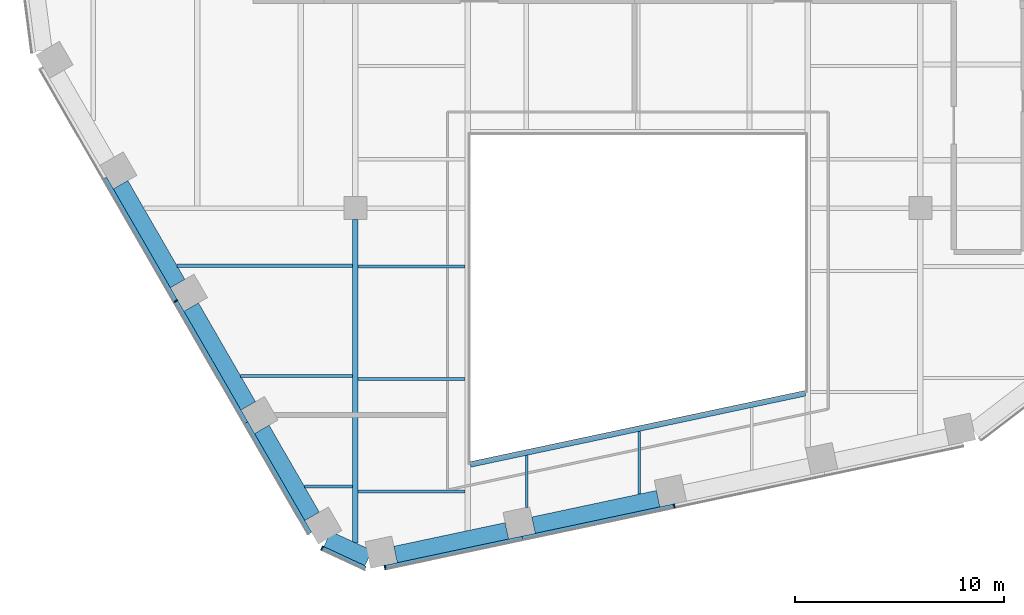
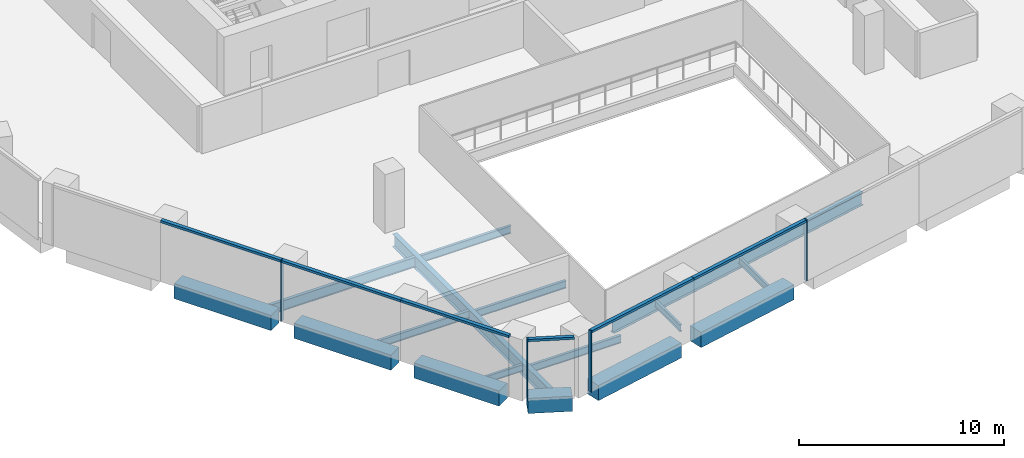
# One storey, part 2 of 16: 16 beams, 10 members, 3 elements without a shape of their own.
"""IFC4 building model written with IfcOpenShell, lengths in metres."""

from ifc_helpers import new_model, si_unit, direction, frame, origin, origin_2d, place, context, subcontext, project, spatial, rectangle, i_section, extrude, material, layer, layer_set, material_profile, profile_set, type_object, element, aggregate, save


model = new_model("IFC4")

# Units and contexts
model_context = context("Model", 3, precision=1e-05, world=origin(), true_north=direction((0.0, 1.0)))
body_context = subcontext(model_context, "Body", "Model", "MODEL_VIEW")
ifc_project = project(units=[si_unit("LENGTHUNIT", "METRE"), si_unit("AREAUNIT", "SQUARE_METRE"), si_unit("VOLUMEUNIT", "CUBIC_METRE"), si_unit("PLANEANGLEUNIT", "RADIAN"), si_unit("MASSUNIT", "GRAM", prefix="KILO")], contexts=[model_context])

# Site, building, storey
site_placement = place(None, origin())
site = spatial("IfcSite", under=ifc_project, at=site_placement, CompositionType="ELEMENT")
building_placement = place(site_placement, origin())
building = spatial("IfcBuilding", under=site, at=building_placement, Name="Isthmus Gate Tower", CompositionType="ELEMENT")
storey_placement = place(building_placement, frame((0.0, 0.0, 192.699951171875)))
storey = spatial("IfcBuildingStorey", under=building, at=storey_placement, Name="L48", CompositionType="ELEMENT", Elevation=192.699951171875)

# Curtain wall, member
ifc_material_1 = material(Name="Aluminium, pale champagne anodised", Category="aluminium")
ifc_layer = layer(ifc_material_1, 0.199951171875)
ifc_layer_set = layer_set([ifc_layer], Name="CW-1 UNITISED CURTAIN WALL 200 DEEP")
curtain_wall_type = type_object("IfcCurtainWallType", Name="CW-1 UNITISED CURTAIN WALL 200 DEEP", PredefinedType="NOTDEFINED", material=ifc_layer_set)
curtain_wall_1_placement = place(storey_placement, origin())
curtain_wall_1 = element("IfcCurtainWall", 1, at=curtain_wall_1_placement, inside=storey, type_object=curtain_wall_type, Name="CW-1 SW L48", PredefinedType="NOTDEFINED")
ifc_material_2 = material(Name="Aluminium, pale champagne anodised", Category="aluminium")
ifc_material_profile_1 = material_profile(ifc_material_2, rectangle(XDim=0.06005859375, YDim=0.199951171875, at=origin_2d()), Name="60x200")
ifc_profile_set_1 = profile_set([ifc_material_profile_1], Name="Aluminium, pale champagne anodised")
member_type_1 = type_object("IfcMemberType", Name="CW-1 MULLION 60 X 200", PredefinedType="MULLION", material=ifc_profile_set_1)
member_1_placement = place(storey_placement, frame((-22.08935546875, -17.93994140625, 0.0), z_axis=(0.0, 0.0, 1.0), x_axis=(0.5, -0.866025403784, 0.0)))
member_1 = element("IfcMember", 2, at=member_1_placement, type_object=member_type_1, Name="CW-1 mullion", PredefinedType="MULLION", context=body_context, shape_type="SweptSolid", body=[
    extrude(rectangle(XDim=0.06005859375, YDim=0.199951171875, at=origin_2d()), origin(), (0.0, 0.0, 1.0), 3.650146484375),
])

curtain_wall_2_placement = place(storey_placement, origin())
curtain_wall_2 = element("IfcCurtainWall", 3, at=curtain_wall_2_placement, inside=storey, type_object=curtain_wall_type, Name="CW-1 SW-S L48", PredefinedType="NOTDEFINED")
member_2_placement = place(storey_placement, frame((-15.091064453125, -29.74755859375, 0.0), z_axis=(0.0, 0.0, 1.0), x_axis=(0.907256261367, -0.420578264073, 0.0)))
member_2 = element("IfcMember", 4, at=member_2_placement, type_object=member_type_1, Name="CW-1 mullion", PredefinedType="MULLION", context=body_context, shape_type="SweptSolid", body=[
    extrude(rectangle(XDim=0.06005859375, YDim=0.199951171875, at=origin_2d()), origin(), (0.0, 0.0, 1.0), 3.650146484375),
])

# Curtain wall, members
curtain_wall_3_placement = place(storey_placement, origin())
curtain_wall_3 = element("IfcCurtainWall", 5, at=curtain_wall_3_placement, inside=storey, type_object=curtain_wall_type, Name="CW-1 S L48", PredefinedType="NOTDEFINED")
member_3_placement = place(storey_placement, frame((-12.082763671875, -30.67041015625, 0.0), z_axis=(0.0, 0.0, 1.0), x_axis=(0.978147600734, 0.207911690818, 0.0)))
member_3 = element("IfcMember", 6, at=member_3_placement, type_object=member_type_1, Name="CW-1 mullion", PredefinedType="MULLION", context=body_context, shape_type="SweptSolid", body=[
    extrude(rectangle(XDim=0.06005859375, YDim=0.199951171875, at=origin_2d()), origin(), (0.0, 0.0, 1.0), 3.650146484375),
])
member_4_placement = place(storey_placement, frame((1.740234375, -27.732421875, 0.0), z_axis=(0.0, 0.0, 1.0), x_axis=(0.978147600734, 0.207911690818, 0.0)))
member_4 = element("IfcMember", 7, at=member_4_placement, type_object=member_type_1, Name="CW-1 mullion", PredefinedType="MULLION", context=body_context, shape_type="SweptSolid", body=[
    extrude(rectangle(XDim=0.06005859375, YDim=0.199951171875, at=origin_2d()), origin(), (0.0, 0.0, 1.0), 3.650146484375),
])

# Member
ifc_material_3 = material(Name="Aluminium, pale champagne anodised", Category="aluminium")
ifc_material_profile_2 = material_profile(ifc_material_3, rectangle(XDim=0.199951171875, YDim=0.139892578125, at=origin_2d()), Name="200x140")
ifc_profile_set_2 = profile_set([ifc_material_profile_2], Name="Aluminium, pale champagne anodised")
member_type_2 = type_object("IfcMemberType", Name="CW-1 TRANSOM 200 X 140", PredefinedType="USERDEFINED", material=ifc_profile_set_2)
member_5_placement = place(storey_placement, frame((-25.4794921875, -12.068115234375, 3.580078125), z_axis=(0.49998230858, -0.86603561769, 0.0), x_axis=(0.86603561769, 0.49998230858, 0.0)))
member_5 = element("IfcMember", 8, at=member_5_placement, type_object=member_type_2, Name="CW-1 transom", ObjectType="TRANSOM", PredefinedType="USERDEFINED", context=body_context, shape_type="SweptSolid", body=[
    extrude(rectangle(XDim=0.199951171875, YDim=0.139892578125, at=origin_2d()), origin(), (0.0, 0.0, 1.0), 6.750244140625),
])

member_6_placement = place(storey_placement, frame((-22.074462890625, -17.9658203125, 3.580078125), z_axis=(0.499981482168, -0.866036094796, 0.0), x_axis=(0.866036094796, 0.499981482168, 0.0)))
member_6 = element("IfcMember", 9, at=member_6_placement, type_object=member_type_2, Name="CW-1 transom", ObjectType="TRANSOM", PredefinedType="USERDEFINED", context=body_context, shape_type="SweptSolid", body=[
    extrude(rectangle(XDim=0.199951171875, YDim=0.139892578125, at=origin_2d()), origin(), (0.0, 0.0, 1.0), 6.690185546875),
])

member_7_placement = place(storey_placement, frame((-18.7294921875, -23.759765625, 3.580078125), z_axis=(0.499991521122, -0.866030299012, 0.0), x_axis=(0.866030299012, 0.499991521122, 0.0)))
member_7 = element("IfcMember", 10, at=member_7_placement, type_object=member_type_2, Name="CW-1 transom", ObjectType="TRANSOM", PredefinedType="USERDEFINED", context=body_context, shape_type="SweptSolid", body=[
    extrude(rectangle(XDim=0.199951171875, YDim=0.139892578125, at=origin_2d()), origin(), (0.0, 0.0, 1.0), 6.10009765625),
])

aggregate(curtain_wall_1, [member_5, member_1, member_6, member_7])

member_8_placement = place(storey_placement, frame((-15.06396484375, -29.76025390625, 3.580078125), z_axis=(0.907246225564, -0.420599912268, 0.0), x_axis=(0.420599912268, 0.907246225564, 0.0)))
member_8 = element("IfcMember", 11, at=member_8_placement, type_object=member_type_2, Name="CW-1 transom", ObjectType="TRANSOM", PredefinedType="USERDEFINED", context=body_context, shape_type="SweptSolid", body=[
    extrude(rectangle(XDim=0.199951171875, YDim=0.139892578125, at=origin_2d()), origin(), (0.0, 0.0, 1.0), 2.258544921875),
])

aggregate(curtain_wall_2, [member_2, member_8])

member_9_placement = place(storey_placement, frame((-12.05322265625, -30.664306640625, 3.580078125), z_axis=(0.97814231579, 0.207936552972, 0.0), x_axis=(-0.207936552972, 0.97814231579, 0.0)))
member_9 = element("IfcMember", 12, at=member_9_placement, type_object=member_type_2, Name="CW-1 transom", ObjectType="TRANSOM", PredefinedType="USERDEFINED", context=body_context, shape_type="SweptSolid", body=[
    extrude(rectangle(XDim=0.199951171875, YDim=0.139892578125, at=origin_2d()), origin(), (0.0, 0.0, 1.0), 6.6806640625),
])

member_10_placement = place(storey_placement, frame((-5.5185546875, -29.275146484375, 3.580078125), z_axis=(0.978147683684, 0.207911300568, 0.0), x_axis=(-0.207911300568, 0.978147683684, 0.0)))
member_10 = element("IfcMember", 13, at=member_10_placement, type_object=member_type_2, Name="CW-1 transom", ObjectType="TRANSOM", PredefinedType="USERDEFINED", context=body_context, shape_type="SweptSolid", body=[
    extrude(rectangle(XDim=0.199951171875, YDim=0.139892578125, at=origin_2d()), origin(), (0.0, 0.0, 1.0), 7.390869140625),
])

aggregate(curtain_wall_3, [member_3, member_9, member_10, member_4])

# Beams
ifc_material_4 = material(Name="Concrete f'c 60 MPa", Category="concrete")
ifc_material_profile_3 = material_profile(ifc_material_4, rectangle(XDim=0.800048828125, YDim=0.89990234375, at=origin_2d()), Name="RC 800X900")
ifc_profile_set_3 = profile_set([ifc_material_profile_3], Name="Concrete f'c 60 MPa")
beam_type_1 = type_object("IfcBeamType", Name="RC SPANDREL 800 X 900", PredefinedType="SPANDREL", material=ifc_profile_set_3)
beam_1_placement = place(storey_placement, frame((0.970947265625, -27.384765625, -0.449951171875), z_axis=(-0.978146012851, -0.207919161079, 0.0), x_axis=(0.207919161079, -0.978146012851, 0.0)))
element("IfcBeam", 14, at=beam_1_placement, inside=storey, type_object=beam_type_1, Name="str-spandrel-L48-13", PredefinedType="SPANDREL", context=body_context, shape_type="SweptSolid", body=[
    extrude(rectangle(XDim=0.800048828125, YDim=0.89990234375, at=origin_2d()), origin(), (0.0, 0.0, 1.0), 6.090576171875),
])
beam_2_placement = place(storey_placement, frame((-6.25830078125, -28.92138671875, -0.449951171875), z_axis=(-0.978150410773, -0.207898470186, 0.0), x_axis=(0.207898470186, -0.978150410773, 0.0)))
element("IfcBeam", 15, at=beam_2_placement, inside=storey, type_object=beam_type_1, Name="str-spandrel-L48-14", PredefinedType="SPANDREL", context=body_context, shape_type="SweptSolid", body=[
    extrude(rectangle(XDim=0.800048828125, YDim=0.89990234375, at=origin_2d()), origin(), (0.0, 0.0, 1.0), 5.440673828125),
])
beam_3_placement = place(storey_placement, frame((-12.87255859375, -30.224853515625, -0.449951171875), z_axis=(-0.907290744498, 0.420503870314, 0.0), x_axis=(-0.420503870314, -0.907290744498, 0.0)))
element("IfcBeam", 16, at=beam_3_placement, inside=storey, type_object=beam_type_1, Name="str-spandrel-L48-15", PredefinedType="SPANDREL", context=body_context, shape_type="SweptSolid", body=[
    extrude(rectangle(XDim=0.800048828125, YDim=0.89990234375, at=origin_2d()), origin(), (0.0, 0.0, 1.0), 2.173095703125),
])
beam_4_placement = place(storey_placement, frame((-15.5712890625, -28.229736328125, -0.449951171875), z_axis=(-0.500017431331, 0.866015339567, 0.0), x_axis=(-0.866015339567, -0.500017431331, 0.0)))
element("IfcBeam", 17, at=beam_4_placement, inside=storey, type_object=beam_type_1, Name="str-spandrel-L48-16", PredefinedType="SPANDREL", context=body_context, shape_type="SweptSolid", body=[
    extrude(rectangle(XDim=0.800048828125, YDim=0.89990234375, at=origin_2d()), origin(), (0.0, 0.0, 1.0), 4.800048828125),
])
for number, where, z_axis, x_axis, name in (
    (18, (-18.621337890625, -22.94677734375, -0.449951171875), (-0.500002931134, 0.866023711487, 0.0), (-0.866023711487, -0.500002931134, 0.0), "str-spandrel-L48-17"),
    (19, (-21.996337890625, -17.10107421875, -0.449951171875), (-0.500002931134, 0.866023711487, 0.0), (-0.866023711487, -0.500002931134, 0.0), "str-spandrel-L48-18"),
):
    element("IfcBeam", number, at=place(storey_placement, frame(where, z_axis=z_axis, x_axis=x_axis)), inside=storey, type_object=beam_type_1, Name=name, PredefinedType="SPANDREL", context=body_context, shape_type="SweptSolid", body=[
        extrude(rectangle(XDim=0.800048828125, YDim=0.89990234375, at=origin_2d()), origin(), (0.0, 0.0, 1.0), 5.4501953125),
    ])
ifc_material_5 = material(Name="Structural steel ASTM A992 Gr 50", Category="steel")
ifc_material_profile_4 = material_profile(ifc_material_5, i_section(OverallWidth=0.1396484375, OverallDepth=0.4033203125, WebThickness=0.00634765625, FlangeThickness=0.010986328125, at=origin_2d()), Name="W16X31")
ifc_profile_set_4 = profile_set([ifc_material_profile_4], Name="Structural steel ASTM A992 Gr 50")
beam_type_2 = type_object("IfcBeamType", Name="STEEL FLOOR BEAM W16X31", PredefinedType="JOIST", material=ifc_profile_set_4)
beam_5_placement = place(storey_placement, frame((-15.937744140625, -26.795166015625, -0.3515625), z_axis=(1.0, 0.0, 0.0), x_axis=(0.0, 1.0, 0.0)))
element("IfcBeam", 20, at=beam_5_placement, inside=storey, type_object=beam_type_2, Name="str-beam-L48-02-00", PredefinedType="JOIST", context=body_context, shape_type="SweptSolid", body=[
    extrude(i_section(OverallWidth=0.1396484375, OverallDepth=0.4033203125, WebThickness=0.00634765625, FlangeThickness=0.010986328125, at=origin_2d()), origin(), (0.0, 0.0, 1.0), 2.304443359375),
])
beam_6_placement = place(storey_placement, frame((-5.311279296875, -27.7998046875, -0.3515625), z_axis=(0.0, 1.0, 0.0), x_axis=(-1.0, 0.0, 0.0)))
element("IfcBeam", 21, at=beam_6_placement, inside=storey, type_object=beam_type_2, Name="str-beam-L48-07-00", PredefinedType="JOIST", context=body_context, shape_type="SweptSolid", body=[
    extrude(i_section(OverallWidth=0.1396484375, OverallDepth=0.4033203125, WebThickness=0.00634765625, FlangeThickness=0.010986328125, at=origin_2d()), origin(), (0.0, 0.0, 1.0), 2.487548828125),
])
beam_7_placement = place(storey_placement, frame((0.06591796875, -27.168212890625, -0.3515625), z_axis=(0.0, 1.0, 0.0), x_axis=(-1.0, 0.0, 0.0)))
element("IfcBeam", 22, at=beam_7_placement, inside=storey, type_object=beam_type_2, Name="str-beam-L48-07-01", PredefinedType="JOIST", context=body_context, shape_type="SweptSolid", body=[
    extrude(i_section(OverallWidth=0.1396484375, OverallDepth=0.4033203125, WebThickness=0.00634765625, FlangeThickness=0.010986328125, at=origin_2d()), origin(), (0.0, 0.0, 1.0), 2.9990234375),
])
ifc_material_6 = material(Name="Structural steel ASTM A992 Gr 50", Category="steel")
ifc_material_profile_5 = material_profile(ifc_material_6, i_section(OverallWidth=0.15234375, OverallDepth=0.45068359375, WebThickness=0.0078125, FlangeThickness=0.010986328125, at=origin_2d()), Name="W18X35")
ifc_profile_set_5 = profile_set([ifc_material_profile_5], Name="Structural steel ASTM A992 Gr 50")
beam_type_3 = type_object("IfcBeamType", Name="STEEL FLOOR BEAM W18X35", PredefinedType="JOIST", material=ifc_profile_set_5)
beam_8_placement = place(storey_placement, frame((-18.981689453125, -21.52294921875, -0.375244140625), z_axis=(1.0, 0.0, 0.0), x_axis=(0.0, 1.0, 0.0)))
element("IfcBeam", 23, at=beam_8_placement, inside=storey, type_object=beam_type_3, Name="str-beam-L48-02-01", PredefinedType="JOIST", context=body_context, shape_type="SweptSolid", body=[
    extrude(i_section(OverallWidth=0.15234375, OverallDepth=0.45068359375, WebThickness=0.0078125, FlangeThickness=0.010986328125, at=origin_2d()), origin(), (0.0, 0.0, 1.0), 5.348388671875),
])
for number, where, z_axis, x_axis, name in (
    (24, (-13.36669921875, -27.04736328125, -0.375244140625), (1.0, 0.0, 0.0), (0.0, 1.0, 0.0), "str-beam-L48-03-00"),
    (25, (-13.36669921875, -21.67041015625, -0.375244140625), (1.0, 0.0, 0.0), (0.0, 1.0, 0.0), "str-beam-L48-03-01"),
    (26, (-13.36669921875, -16.293212890625, -0.375244140625), (1.0, 0.0, 0.0), (0.0, 1.0, 0.0), "str-beam-L48-03-02"),
):
    element("IfcBeam", number, at=place(storey_placement, frame(where, z_axis=z_axis, x_axis=x_axis)), inside=storey, type_object=beam_type_3, Name=name, PredefinedType="JOIST", context=body_context, shape_type="SweptSolid", body=[
        extrude(i_section(OverallWidth=0.15234375, OverallDepth=0.45068359375, WebThickness=0.0078125, FlangeThickness=0.010986328125, at=origin_2d()), origin(), (0.0, 0.0, 1.0), 5.10009765625),
    ])
ifc_material_7 = material(Name="Structural steel ASTM A992 Gr 50", Category="steel")
ifc_material_profile_6 = material_profile(ifc_material_7, i_section(OverallWidth=0.177734375, OverallDepth=0.60009765625, WebThickness=0.009521484375, FlangeThickness=0.0126953125, at=origin_2d()), Name="W24X55")
ifc_profile_set_6 = profile_set([ifc_material_profile_6], Name="Structural steel ASTM A992 Gr 50")
beam_type_4 = type_object("IfcBeamType", Name="STEEL FLOOR BEAM W24X55", PredefinedType="JOIST", material=ifc_profile_set_6)
beam_9_placement = place(storey_placement, frame((-22.025634765625, -16.25048828125, -0.449951171875), z_axis=(1.0, 0.0, 0.0), x_axis=(0.0, 1.0, 0.0)))
element("IfcBeam", 27, at=beam_9_placement, inside=storey, type_object=beam_type_4, Name="str-beam-L48-02-02", PredefinedType="JOIST", context=body_context, shape_type="SweptSolid", body=[
    extrude(i_section(OverallWidth=0.177734375, OverallDepth=0.60009765625, WebThickness=0.009521484375, FlangeThickness=0.0126953125, at=origin_2d()), origin(), (0.0, 0.0, 1.0), 8.392333984375),
])
ifc_material_8 = material(Name="Structural steel ASTM A992 Gr 50", Category="steel")
ifc_material_profile_7 = material_profile(ifc_material_8, i_section(OverallWidth=0.2666015625, OverallDepth=0.7587890625, WebThickness=0.014404296875, FlangeThickness=0.01904296875, at=origin_2d()), Name="W30X108")
ifc_profile_set_7 = profile_set([ifc_material_profile_7], Name="Structural steel ASTM A992 Gr 50")
beam_type_5 = type_object("IfcBeamType", Name="STEEL GIRDER W30X108", PredefinedType="BEAM", material=ifc_profile_set_7)
beam_10_placement = place(storey_placement, frame((-13.5, -29.4931640625, -0.529296875), z_axis=(0.0, 1.0, 0.0), x_axis=(-1.0, 0.0, 0.0)))
element("IfcBeam", 28, at=beam_10_placement, inside=storey, type_object=beam_type_5, Name="str-girder-L48-07", PredefinedType="BEAM", context=body_context, shape_type="SweptSolid", body=[
    extrude(i_section(OverallWidth=0.2666015625, OverallDepth=0.7587890625, WebThickness=0.014404296875, FlangeThickness=0.01904296875, at=origin_2d()), origin(), (0.0, 0.0, 1.0), 15.443115234375),
])
ifc_material_9 = material(Name="Structural steel ASTM A992 Gr 50", Category="steel")
ifc_material_profile_8 = material_profile(ifc_material_9, i_section(OverallWidth=0.2666015625, OverallDepth=0.7587890625, WebThickness=0.014404296875, FlangeThickness=0.01904296875, at=origin_2d()), Name="W30X108")
ifc_profile_set_8 = profile_set([ifc_material_profile_8], Name="Structural steel ASTM A992 Gr 50")
beam_type_6 = type_object("IfcBeamType", Name="STEEL TRIMMER W30X108", PredefinedType="BEAM", material=ifc_profile_set_8)
beam_11_placement = place(storey_placement, frame((-8.0, -25.747314453125, -0.529296875), z_axis=(0.978147924985, 0.20791016533, 0.0), x_axis=(-0.20791016533, 0.978147924985, 0.0)))
element("IfcBeam", 29, at=beam_11_placement, inside=storey, type_object=beam_type_6, Name="str-trimmer-L48-03", PredefinedType="BEAM", context=body_context, shape_type="SweptSolid", body=[
    extrude(i_section(OverallWidth=0.2666015625, OverallDepth=0.7587890625, WebThickness=0.014404296875, FlangeThickness=0.01904296875, at=origin_2d()), origin(), (0.0, 0.0, 1.0), 16.357421875),
])

save(model, "model.ifc")
